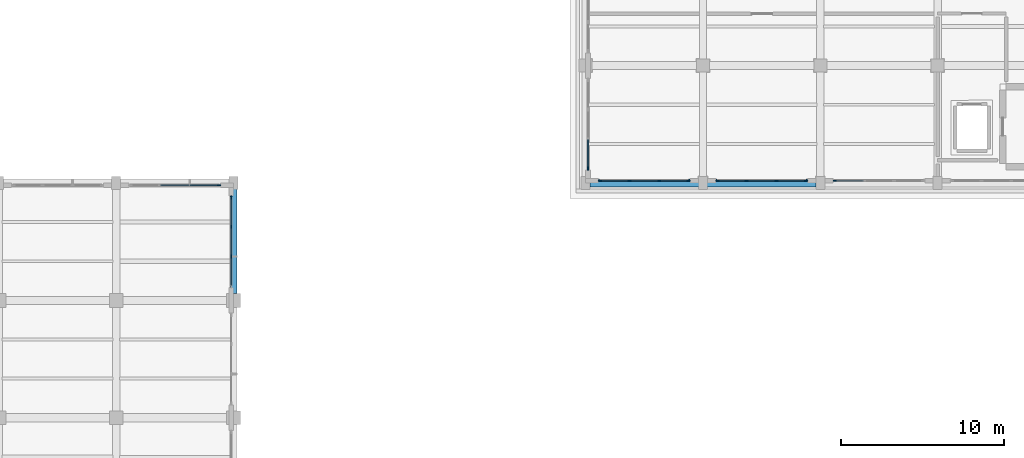
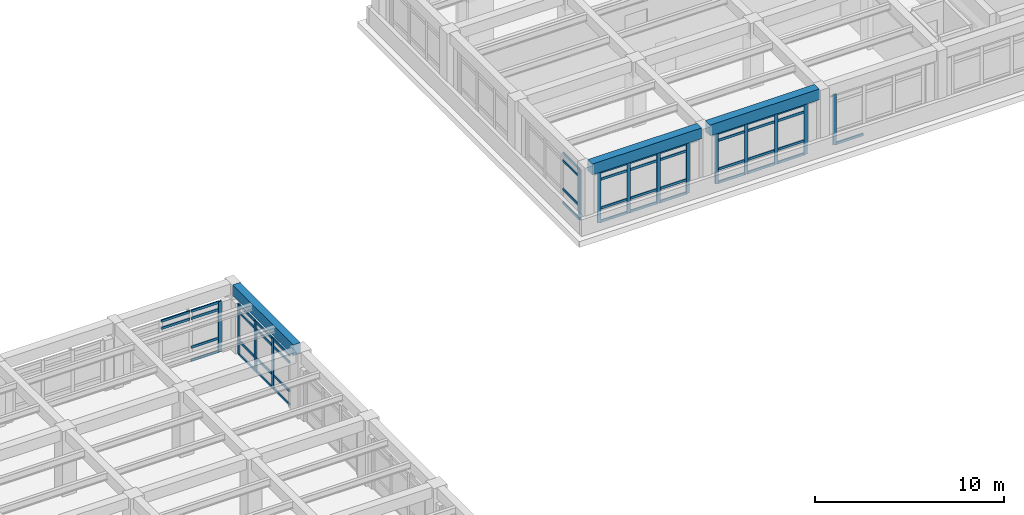
# One storey, part 50 of 98: 61 members, 3 beams, 6 elements without a shape of their own.
"""IFC4 building model written with IfcOpenShell, lengths in metres."""

from ifc_helpers import new_model, si_unit, direction, frame, origin, origin_2d, place, context, subcontext, project, spatial, rectangle, extrude, material, layer, layer_set, material_profile, profile_set, type_object, element, aggregate, save


model = new_model("IFC4")

# Units and contexts
model_context = context("Model", 3, precision=1e-05, world=origin(), true_north=direction((0.0, 1.0)))
body_context = subcontext(model_context, "Body", "Model", "MODEL_VIEW")
ifc_project = project(units=[si_unit("LENGTHUNIT", "METRE"), si_unit("AREAUNIT", "SQUARE_METRE"), si_unit("VOLUMEUNIT", "CUBIC_METRE"), si_unit("PLANEANGLEUNIT", "RADIAN"), si_unit("MASSUNIT", "GRAM", prefix="KILO")], contexts=[model_context])

# Site, building, storey
site_placement = place(None, origin())
site = spatial("IfcSite", under=ifc_project, at=site_placement, CompositionType="ELEMENT")
building_placement = place(site_placement, origin())
building = spatial("IfcBuilding", under=site, at=building_placement, Name="Solenvale Faculty of Natural Sciences", CompositionType="ELEMENT")
storey_placement = place(building_placement, frame((0.0, 0.0, 9.0)))
storey = spatial("IfcBuildingStorey", under=building, at=storey_placement, Name="L02", CompositionType="ELEMENT", Elevation=9.0)

# Beams
ifc_material_1 = material(Name="Concrete 40 MPa", Category="concrete")
ifc_material_profile_1 = material_profile(ifc_material_1, rectangle(XDim=0.449951171875, YDim=0.699951171875, at=origin_2d()), Name="RC-BM-450x700")
ifc_profile_set_1 = profile_set([ifc_material_profile_1], Name="Concrete 40 MPa")
beam_type_1 = type_object("IfcBeamType", Name="BM-RC-450x700", PredefinedType="BEAM", material=ifc_profile_set_1)
beam_placement = place(storey_placement, frame((57.60009765625, 86.804931640625, 3.8701171875), z_axis=(0.0, 1.0, 0.0), x_axis=(-1.0, 0.0, 0.0)))
element("IfcBeam", 1, at=beam_placement, inside=storey, type_object=beam_type_1, Name="L02 Y-Girder X57.6 (86.4..93.6)", PredefinedType="BEAM", context=body_context, shape_type="SweptSolid", body=[
    extrude(rectangle(XDim=0.449951171875, YDim=0.699951171875, at=origin_2d()), origin(), (0.0, 0.0, 1.0), 6.4150390625),
])
ifc_material_profile_2 = material_profile(ifc_material_1, rectangle(XDim=0.5, YDim=0.699951171875, at=origin_2d()), Name="RC-BM-500x700")
ifc_profile_set_2 = profile_set([ifc_material_profile_2], Name="Concrete 40 MPa")
beam_type_2 = type_object("IfcBeamType", Name="BM-RC-500x700", PredefinedType="BEAM", material=ifc_profile_set_2)
for number, where, z_axis, x_axis, name in (
    (2, (79.455078125, 93.60009765625, 3.8701171875), (1.0, 0.0, 0.0), (0.0, 1.0, 0.0), "L02 X-Girder Y93.6 (79.2..86.4)"),
    (3, (86.655029296875, 93.60009765625, 3.8701171875), (1.0, 0.0, 0.0), (0.0, 1.0, 0.0), "L02 X-Girder Y93.6 (86.4..93.6)"),
):
    element("IfcBeam", number, at=place(storey_placement, frame(where, z_axis=z_axis, x_axis=x_axis)), inside=storey, type_object=beam_type_2, Name=name, PredefinedType="BEAM", context=body_context, shape_type="SweptSolid", body=[
        extrude(rectangle(XDim=0.5, YDim=0.699951171875, at=origin_2d()), origin(), (0.0, 0.0, 1.0), 6.68994140625),
    ])

# Curtain wall, members
ifc_material_2 = material(Name="Anodised bronze aluminium", Category="aluminium")
ifc_layer_1 = layer(ifc_material_2, 0.215087890625)
ifc_layer_set_1 = layer_set([ifc_layer_1], Name="Anodised bronze aluminium")
curtain_wall_type_1 = type_object("IfcCurtainWallType", Name="CW-ATR-UNIT", PredefinedType="USERDEFINED", material=ifc_layer_set_1)
curtain_wall_1_placement = place(storey_placement, origin())
curtain_wall_1 = element("IfcCurtainWall", 4, at=curtain_wall_1_placement, inside=storey, type_object=curtain_wall_type_1, Name="L02 Curtain Wall CW-L02-P1-E7-B7", ObjectType="UNITISED CURTAIN WALL", PredefinedType="USERDEFINED")
ifc_material_profile_3 = material_profile(ifc_material_2, rectangle(XDim=0.074951171875, YDim=0.2099609375, at=origin_2d()), Name="ALU-MUL-75x210")
ifc_profile_set_3 = profile_set([ifc_material_profile_3], Name="Anodised bronze aluminium")
member_type_1 = type_object("IfcMemberType", Name="CWM-ALU-75x210", PredefinedType="MULLION", material=ifc_profile_set_3)
member_1_placement = place(storey_placement, frame((57.45751953125, 89.083251953125, 0.0), z_axis=(0.0, 0.0, 1.0), x_axis=(-1.0, 0.0, 0.0)))
member_1 = element("IfcMember", 5, at=member_1_placement, type_object=member_type_1, Name="CW-01 mullion 2", PredefinedType="MULLION", context=body_context, shape_type="SweptSolid", body=[
    extrude(rectangle(XDim=0.074951171875, YDim=0.2099609375, at=origin_2d()), origin(), (0.0, 0.0, 1.0), 3.260009765625),
])
member_2_placement = place(storey_placement, frame((57.45751953125, 90.916748046875, 0.0), z_axis=(0.0, 0.0, 1.0), x_axis=(-1.0, 0.0, 0.0)))
member_2 = element("IfcMember", 6, at=member_2_placement, type_object=member_type_1, Name="CW-01 mullion 3", PredefinedType="MULLION", context=body_context, shape_type="SweptSolid", body=[
    extrude(rectangle(XDim=0.074951171875, YDim=0.2099609375, at=origin_2d()), origin(), (0.0, 0.0, 1.0), 3.260009765625),
])
member_3_placement = place(storey_placement, frame((57.45751953125, 92.71240234375, 0.0), z_axis=(0.0, 0.0, 1.0), x_axis=(-1.0, 0.0, 0.0)))
member_3 = element("IfcMember", 7, at=member_3_placement, type_object=member_type_1, Name="CW-01 mullion 4", PredefinedType="MULLION", context=body_context, shape_type="SweptSolid", body=[
    extrude(rectangle(XDim=0.074951171875, YDim=0.2099609375, at=origin_2d()), origin(), (0.0, 0.0, 1.0), 3.260009765625),
])

# Curtain wall, member
curtain_wall_2_placement = place(storey_placement, origin())
curtain_wall_2 = element("IfcCurtainWall", 8, at=curtain_wall_2_placement, inside=storey, type_object=curtain_wall_type_1, Name="L02 Curtain Wall CW-L02-P1-E8-B1", ObjectType="UNITISED CURTAIN WALL", PredefinedType="USERDEFINED")
member_4_placement = place(storey_placement, frame((56.71240234375, 93.45751953125, 0.0), z_axis=(0.0, 0.0, 1.0), x_axis=(0.0, -1.0, 0.0)))
member_4 = element("IfcMember", 9, at=member_4_placement, type_object=member_type_1, Name="CW-01 mullion 1", PredefinedType="MULLION", context=body_context, shape_type="SweptSolid", body=[
    extrude(rectangle(XDim=0.074951171875, YDim=0.2099609375, at=origin_2d()), origin(), (0.0, 0.0, 1.0), 3.260009765625),
])

ifc_layer_2 = layer(ifc_material_2, 0.179931640625)
ifc_layer_set_2 = layer_set([ifc_layer_2], Name="Anodised bronze aluminium")
curtain_wall_type_2 = type_object("IfcCurtainWallType", Name="CW-TWR-MOD", PredefinedType="USERDEFINED", material=ifc_layer_set_2)
curtain_wall_3_placement = place(storey_placement, origin())
curtain_wall_3 = element("IfcCurtainWall", 10, at=curtain_wall_3_placement, inside=storey, type_object=curtain_wall_type_2, Name="L02 Curtain Wall CW-L02-P2-E5-B3", ObjectType="UNITISED CURTAIN WALL", PredefinedType="USERDEFINED")
member_5_placement = place(storey_placement, frame((79.342529296875, 94.487548828125, 0.0), z_axis=(0.0, 0.0, 1.0), x_axis=(1.0, 0.0, 0.0)))
member_5 = element("IfcMember", 11, at=member_5_placement, type_object=member_type_1, Name="CW-04 mullion 4", PredefinedType="MULLION", context=body_context, shape_type="SweptSolid", body=[
    extrude(rectangle(XDim=0.074951171875, YDim=0.2099609375, at=origin_2d()), origin(), (0.0, 0.0, 1.0), 3.260009765625),
])

# Curtain wall, members
curtain_wall_4_placement = place(storey_placement, origin())
curtain_wall_4 = element("IfcCurtainWall", 12, at=curtain_wall_4_placement, inside=storey, type_object=curtain_wall_type_2, Name="L02 Curtain Wall CW-L02-P2-E6-B1", ObjectType="UNITISED CURTAIN WALL", PredefinedType="USERDEFINED")
member_6_placement = place(storey_placement, frame((80.08740234375, 93.742431640625, 0.0), z_axis=(0.0, 0.0, 1.0), x_axis=(0.0, 1.0, 0.0)))
member_6 = element("IfcMember", 13, at=member_6_placement, type_object=member_type_1, Name="CW-04 mullion 1", PredefinedType="MULLION", context=body_context, shape_type="SweptSolid", body=[
    extrude(rectangle(XDim=0.074951171875, YDim=0.2099609375, at=origin_2d()), origin(), (0.0, 0.0, 1.0), 3.260009765625),
])
member_7_placement = place(storey_placement, frame((81.88330078125, 93.742431640625, 0.0), z_axis=(0.0, 0.0, 1.0), x_axis=(0.0, 1.0, 0.0)))
member_7 = element("IfcMember", 14, at=member_7_placement, type_object=member_type_1, Name="CW-04 mullion 2", PredefinedType="MULLION", context=body_context, shape_type="SweptSolid", body=[
    extrude(rectangle(XDim=0.074951171875, YDim=0.2099609375, at=origin_2d()), origin(), (0.0, 0.0, 1.0), 3.260009765625),
])
member_8_placement = place(storey_placement, frame((83.716552734375, 93.742431640625, 0.0), z_axis=(0.0, 0.0, 1.0), x_axis=(0.0, 1.0, 0.0)))
member_8 = element("IfcMember", 15, at=member_8_placement, type_object=member_type_1, Name="CW-04 mullion 3", PredefinedType="MULLION", context=body_context, shape_type="SweptSolid", body=[
    extrude(rectangle(XDim=0.074951171875, YDim=0.2099609375, at=origin_2d()), origin(), (0.0, 0.0, 1.0), 3.260009765625),
])
member_9_placement = place(storey_placement, frame((85.512451171875, 93.742431640625, 0.0), z_axis=(0.0, 0.0, 1.0), x_axis=(0.0, 1.0, 0.0)))
member_9 = element("IfcMember", 16, at=member_9_placement, type_object=member_type_1, Name="CW-04 mullion 4", PredefinedType="MULLION", context=body_context, shape_type="SweptSolid", body=[
    extrude(rectangle(XDim=0.074951171875, YDim=0.2099609375, at=origin_2d()), origin(), (0.0, 0.0, 1.0), 3.260009765625),
])

curtain_wall_5_placement = place(storey_placement, origin())
curtain_wall_5 = element("IfcCurtainWall", 17, at=curtain_wall_5_placement, inside=storey, type_object=curtain_wall_type_2, Name="L02 Curtain Wall CW-L02-P2-E6-B2", ObjectType="UNITISED CURTAIN WALL", PredefinedType="USERDEFINED")
member_10_placement = place(storey_placement, frame((87.28759765625, 93.742431640625, 0.0), z_axis=(0.0, 0.0, 1.0), x_axis=(0.0, 1.0, 0.0)))
member_10 = element("IfcMember", 18, at=member_10_placement, type_object=member_type_1, Name="CW-04 mullion 1", PredefinedType="MULLION", context=body_context, shape_type="SweptSolid", body=[
    extrude(rectangle(XDim=0.074951171875, YDim=0.2099609375, at=origin_2d()), origin(), (0.0, 0.0, 1.0), 3.260009765625),
])
member_11_placement = place(storey_placement, frame((89.083251953125, 93.742431640625, 0.0), z_axis=(0.0, 0.0, 1.0), x_axis=(0.0, 1.0, 0.0)))
member_11 = element("IfcMember", 19, at=member_11_placement, type_object=member_type_1, Name="CW-04 mullion 2", PredefinedType="MULLION", context=body_context, shape_type="SweptSolid", body=[
    extrude(rectangle(XDim=0.074951171875, YDim=0.2099609375, at=origin_2d()), origin(), (0.0, 0.0, 1.0), 3.260009765625),
])
member_12_placement = place(storey_placement, frame((90.916748046875, 93.742431640625, 0.0), z_axis=(0.0, 0.0, 1.0), x_axis=(0.0, 1.0, 0.0)))
member_12 = element("IfcMember", 20, at=member_12_placement, type_object=member_type_1, Name="CW-04 mullion 3", PredefinedType="MULLION", context=body_context, shape_type="SweptSolid", body=[
    extrude(rectangle(XDim=0.074951171875, YDim=0.2099609375, at=origin_2d()), origin(), (0.0, 0.0, 1.0), 3.260009765625),
])
member_13_placement = place(storey_placement, frame((92.71240234375, 93.742431640625, 0.0), z_axis=(0.0, 0.0, 1.0), x_axis=(0.0, 1.0, 0.0)))
member_13 = element("IfcMember", 21, at=member_13_placement, type_object=member_type_1, Name="CW-04 mullion 4", PredefinedType="MULLION", context=body_context, shape_type="SweptSolid", body=[
    extrude(rectangle(XDim=0.074951171875, YDim=0.2099609375, at=origin_2d()), origin(), (0.0, 0.0, 1.0), 3.260009765625),
])

# Curtain wall, member
curtain_wall_6_placement = place(storey_placement, origin())
curtain_wall_6 = element("IfcCurtainWall", 22, at=curtain_wall_6_placement, inside=storey, type_object=curtain_wall_type_2, Name="L02 Curtain Wall CW-L02-P2-E6-B3", ObjectType="UNITISED CURTAIN WALL", PredefinedType="USERDEFINED")
member_14_placement = place(storey_placement, frame((94.487548828125, 93.742431640625, 0.0), z_axis=(0.0, 0.0, 1.0), x_axis=(0.0, 1.0, 0.0)))
member_14 = element("IfcMember", 23, at=member_14_placement, type_object=member_type_1, Name="CW-04 mullion 1", PredefinedType="MULLION", context=body_context, shape_type="SweptSolid", body=[
    extrude(rectangle(XDim=0.074951171875, YDim=0.2099609375, at=origin_2d()), origin(), (0.0, 0.0, 1.0), 3.260009765625),
])

# Member
ifc_material_profile_4 = material_profile(ifc_material_2, rectangle(XDim=0.074951171875, YDim=0.155029296875, at=origin_2d()), Name="ALU-TRN-75x155")
ifc_profile_set_4 = profile_set([ifc_material_profile_4], Name="Anodised bronze aluminium")
member_type_2 = type_object("IfcMemberType", Name="CWT-ALU-75x155", PredefinedType="USERDEFINED", material=ifc_profile_set_4)
member_15_placement = place(storey_placement, frame((57.45751953125, 87.324951171875, 0.03759765625), z_axis=(0.0, 1.0, 0.0), x_axis=(-1.0, 0.0, 0.0)))
member_15 = element("IfcMember", 24, at=member_15_placement, type_object=member_type_2, Name="CW-01 transom 1.1", ObjectType="TRANSOM", PredefinedType="USERDEFINED", context=body_context, shape_type="SweptSolid", body=[
    extrude(rectangle(XDim=0.074951171875, YDim=0.155029296875, at=origin_2d()), origin(), (0.0, 0.0, 1.0), 1.720947265625),
])

member_16_placement = place(storey_placement, frame((57.45751953125, 87.324951171875, 0.89990234375), z_axis=(0.0, 1.0, 0.0), x_axis=(-1.0, 0.0, 0.0)))
member_16 = element("IfcMember", 25, at=member_16_placement, type_object=member_type_2, Name="CW-01 transom 1.2", ObjectType="TRANSOM", PredefinedType="USERDEFINED", context=body_context, shape_type="SweptSolid", body=[
    extrude(rectangle(XDim=0.074951171875, YDim=0.155029296875, at=origin_2d()), origin(), (0.0, 0.0, 1.0), 1.720947265625),
])

member_17_placement = place(storey_placement, frame((57.45751953125, 87.324951171875, 2.760009765625), z_axis=(0.0, 1.0, 0.0), x_axis=(-1.0, 0.0, 0.0)))
member_17 = element("IfcMember", 26, at=member_17_placement, type_object=member_type_2, Name="CW-01 transom 1.3", ObjectType="TRANSOM", PredefinedType="USERDEFINED", context=body_context, shape_type="SweptSolid", body=[
    extrude(rectangle(XDim=0.074951171875, YDim=0.155029296875, at=origin_2d()), origin(), (0.0, 0.0, 1.0), 1.720947265625),
])

member_18_placement = place(storey_placement, frame((57.45751953125, 87.324951171875, 3.222412109375), z_axis=(0.0, 1.0, 0.0), x_axis=(-1.0, 0.0, 0.0)))
member_18 = element("IfcMember", 27, at=member_18_placement, type_object=member_type_2, Name="CW-01 transom 1.4", ObjectType="TRANSOM", PredefinedType="USERDEFINED", context=body_context, shape_type="SweptSolid", body=[
    extrude(rectangle(XDim=0.074951171875, YDim=0.155029296875, at=origin_2d()), origin(), (0.0, 0.0, 1.0), 1.720947265625),
])

member_19_placement = place(storey_placement, frame((57.45751953125, 89.120849609375, 0.03759765625), z_axis=(0.0, 1.0, 0.0), x_axis=(-1.0, 0.0, 0.0)))
member_19 = element("IfcMember", 28, at=member_19_placement, type_object=member_type_2, Name="CW-01 transom 2.1", ObjectType="TRANSOM", PredefinedType="USERDEFINED", context=body_context, shape_type="SweptSolid", body=[
    extrude(rectangle(XDim=0.074951171875, YDim=0.155029296875, at=origin_2d()), origin(), (0.0, 0.0, 1.0), 1.75830078125),
])

member_20_placement = place(storey_placement, frame((57.45751953125, 89.120849609375, 0.89990234375), z_axis=(0.0, 1.0, 0.0), x_axis=(-1.0, 0.0, 0.0)))
member_20 = element("IfcMember", 29, at=member_20_placement, type_object=member_type_2, Name="CW-01 transom 2.2", ObjectType="TRANSOM", PredefinedType="USERDEFINED", context=body_context, shape_type="SweptSolid", body=[
    extrude(rectangle(XDim=0.074951171875, YDim=0.155029296875, at=origin_2d()), origin(), (0.0, 0.0, 1.0), 1.75830078125),
])

member_21_placement = place(storey_placement, frame((57.45751953125, 89.120849609375, 2.760009765625), z_axis=(0.0, 1.0, 0.0), x_axis=(-1.0, 0.0, 0.0)))
member_21 = element("IfcMember", 30, at=member_21_placement, type_object=member_type_2, Name="CW-01 transom 2.3", ObjectType="TRANSOM", PredefinedType="USERDEFINED", context=body_context, shape_type="SweptSolid", body=[
    extrude(rectangle(XDim=0.074951171875, YDim=0.155029296875, at=origin_2d()), origin(), (0.0, 0.0, 1.0), 1.75830078125),
])

member_22_placement = place(storey_placement, frame((57.45751953125, 89.120849609375, 3.222412109375), z_axis=(0.0, 1.0, 0.0), x_axis=(-1.0, 0.0, 0.0)))
member_22 = element("IfcMember", 31, at=member_22_placement, type_object=member_type_2, Name="CW-01 transom 2.4", ObjectType="TRANSOM", PredefinedType="USERDEFINED", context=body_context, shape_type="SweptSolid", body=[
    extrude(rectangle(XDim=0.074951171875, YDim=0.155029296875, at=origin_2d()), origin(), (0.0, 0.0, 1.0), 1.75830078125),
])

member_23_placement = place(storey_placement, frame((57.45751953125, 90.9541015625, 0.03759765625), z_axis=(0.0, 1.0, 0.0), x_axis=(-1.0, 0.0, 0.0)))
member_23 = element("IfcMember", 32, at=member_23_placement, type_object=member_type_2, Name="CW-01 transom 3.1", ObjectType="TRANSOM", PredefinedType="USERDEFINED", context=body_context, shape_type="SweptSolid", body=[
    extrude(rectangle(XDim=0.074951171875, YDim=0.155029296875, at=origin_2d()), origin(), (0.0, 0.0, 1.0), 1.720947265625),
])

member_24_placement = place(storey_placement, frame((57.45751953125, 90.9541015625, 0.89990234375), z_axis=(0.0, 1.0, 0.0), x_axis=(-1.0, 0.0, 0.0)))
member_24 = element("IfcMember", 33, at=member_24_placement, type_object=member_type_2, Name="CW-01 transom 3.2", ObjectType="TRANSOM", PredefinedType="USERDEFINED", context=body_context, shape_type="SweptSolid", body=[
    extrude(rectangle(XDim=0.074951171875, YDim=0.155029296875, at=origin_2d()), origin(), (0.0, 0.0, 1.0), 1.720947265625),
])

member_25_placement = place(storey_placement, frame((57.45751953125, 90.9541015625, 2.760009765625), z_axis=(0.0, 1.0, 0.0), x_axis=(-1.0, 0.0, 0.0)))
member_25 = element("IfcMember", 34, at=member_25_placement, type_object=member_type_2, Name="CW-01 transom 3.3", ObjectType="TRANSOM", PredefinedType="USERDEFINED", context=body_context, shape_type="SweptSolid", body=[
    extrude(rectangle(XDim=0.074951171875, YDim=0.155029296875, at=origin_2d()), origin(), (0.0, 0.0, 1.0), 1.720947265625),
])

member_26_placement = place(storey_placement, frame((57.45751953125, 90.9541015625, 3.222412109375), z_axis=(0.0, 1.0, 0.0), x_axis=(-1.0, 0.0, 0.0)))
member_26 = element("IfcMember", 35, at=member_26_placement, type_object=member_type_2, Name="CW-01 transom 3.4", ObjectType="TRANSOM", PredefinedType="USERDEFINED", context=body_context, shape_type="SweptSolid", body=[
    extrude(rectangle(XDim=0.074951171875, YDim=0.155029296875, at=origin_2d()), origin(), (0.0, 0.0, 1.0), 1.720947265625),
])

aggregate(curtain_wall_1, [member_1, member_2, member_3, member_15, member_16, member_17, member_18, member_19, member_20, member_21, member_22, member_23, member_24, member_25, member_26])

member_27_placement = place(storey_placement, frame((56.675048828125, 93.45751953125, 0.03759765625), z_axis=(-1.0, 0.0, 0.0), x_axis=(0.0, -1.0, 0.0)))
member_27 = element("IfcMember", 36, at=member_27_placement, type_object=member_type_2, Name="CW-01 transom 1.1", ObjectType="TRANSOM", PredefinedType="USERDEFINED", context=body_context, shape_type="SweptSolid", body=[
    extrude(rectangle(XDim=0.074951171875, YDim=0.155029296875, at=origin_2d()), origin(), (0.0, 0.0, 1.0), 1.720947265625),
])

member_28_placement = place(storey_placement, frame((56.675048828125, 93.45751953125, 0.89990234375), z_axis=(-1.0, 0.0, 0.0), x_axis=(0.0, -1.0, 0.0)))
member_28 = element("IfcMember", 37, at=member_28_placement, type_object=member_type_2, Name="CW-01 transom 1.2", ObjectType="TRANSOM", PredefinedType="USERDEFINED", context=body_context, shape_type="SweptSolid", body=[
    extrude(rectangle(XDim=0.074951171875, YDim=0.155029296875, at=origin_2d()), origin(), (0.0, 0.0, 1.0), 1.720947265625),
])

member_29_placement = place(storey_placement, frame((56.675048828125, 93.45751953125, 2.760009765625), z_axis=(-1.0, 0.0, 0.0), x_axis=(0.0, -1.0, 0.0)))
member_29 = element("IfcMember", 38, at=member_29_placement, type_object=member_type_2, Name="CW-01 transom 1.3", ObjectType="TRANSOM", PredefinedType="USERDEFINED", context=body_context, shape_type="SweptSolid", body=[
    extrude(rectangle(XDim=0.074951171875, YDim=0.155029296875, at=origin_2d()), origin(), (0.0, 0.0, 1.0), 1.720947265625),
])

member_30_placement = place(storey_placement, frame((56.675048828125, 93.45751953125, 3.222412109375), z_axis=(-1.0, 0.0, 0.0), x_axis=(0.0, -1.0, 0.0)))
member_30 = element("IfcMember", 39, at=member_30_placement, type_object=member_type_2, Name="CW-01 transom 1.4", ObjectType="TRANSOM", PredefinedType="USERDEFINED", context=body_context, shape_type="SweptSolid", body=[
    extrude(rectangle(XDim=0.074951171875, YDim=0.155029296875, at=origin_2d()), origin(), (0.0, 0.0, 1.0), 1.720947265625),
])

member_31_placement = place(storey_placement, frame((54.879150390625, 93.45751953125, 2.760009765625), z_axis=(-1.0, 0.0, 0.0), x_axis=(0.0, -1.0, 0.0)))
member_31 = element("IfcMember", 40, at=member_31_placement, type_object=member_type_2, Name="CW-01 transom 2.3", ObjectType="TRANSOM", PredefinedType="USERDEFINED", context=body_context, shape_type="SweptSolid", body=[
    extrude(rectangle(XDim=0.074951171875, YDim=0.155029296875, at=origin_2d()), origin(), (0.0, 0.0, 1.0), 1.75830078125),
])

member_32_placement = place(storey_placement, frame((54.879150390625, 93.45751953125, 3.222412109375), z_axis=(-1.0, 0.0, 0.0), x_axis=(0.0, -1.0, 0.0)))
member_32 = element("IfcMember", 41, at=member_32_placement, type_object=member_type_2, Name="CW-01 transom 2.4", ObjectType="TRANSOM", PredefinedType="USERDEFINED", context=body_context, shape_type="SweptSolid", body=[
    extrude(rectangle(XDim=0.074951171875, YDim=0.155029296875, at=origin_2d()), origin(), (0.0, 0.0, 1.0), 1.75830078125),
])

aggregate(curtain_wall_2, [member_4, member_27, member_28, member_29, member_30, member_31, member_32])

member_33_placement = place(storey_placement, frame((79.342529296875, 96.245849609375, 0.03759765625), z_axis=(0.0, -1.0, 0.0), x_axis=(1.0, 0.0, 0.0)))
member_33 = element("IfcMember", 42, at=member_33_placement, type_object=member_type_2, Name="CW-04 transom 3.1", ObjectType="TRANSOM", PredefinedType="USERDEFINED", context=body_context, shape_type="SweptSolid", body=[
    extrude(rectangle(XDim=0.074951171875, YDim=0.155029296875, at=origin_2d()), origin(), (0.0, 0.0, 1.0), 1.720947265625),
])

member_34_placement = place(storey_placement, frame((79.342529296875, 96.245849609375, 0.89990234375), z_axis=(0.0, -1.0, 0.0), x_axis=(1.0, 0.0, 0.0)))
member_34 = element("IfcMember", 43, at=member_34_placement, type_object=member_type_2, Name="CW-04 transom 3.2", ObjectType="TRANSOM", PredefinedType="USERDEFINED", context=body_context, shape_type="SweptSolid", body=[
    extrude(rectangle(XDim=0.074951171875, YDim=0.155029296875, at=origin_2d()), origin(), (0.0, 0.0, 1.0), 1.720947265625),
])

member_35_placement = place(storey_placement, frame((79.342529296875, 96.245849609375, 2.760009765625), z_axis=(0.0, -1.0, 0.0), x_axis=(1.0, 0.0, 0.0)))
member_35 = element("IfcMember", 44, at=member_35_placement, type_object=member_type_2, Name="CW-04 transom 3.3", ObjectType="TRANSOM", PredefinedType="USERDEFINED", context=body_context, shape_type="SweptSolid", body=[
    extrude(rectangle(XDim=0.074951171875, YDim=0.155029296875, at=origin_2d()), origin(), (0.0, 0.0, 1.0), 1.720947265625),
])

member_36_placement = place(storey_placement, frame((79.342529296875, 96.245849609375, 3.222412109375), z_axis=(0.0, -1.0, 0.0), x_axis=(1.0, 0.0, 0.0)))
member_36 = element("IfcMember", 45, at=member_36_placement, type_object=member_type_2, Name="CW-04 transom 3.4", ObjectType="TRANSOM", PredefinedType="USERDEFINED", context=body_context, shape_type="SweptSolid", body=[
    extrude(rectangle(XDim=0.074951171875, YDim=0.155029296875, at=origin_2d()), origin(), (0.0, 0.0, 1.0), 1.720947265625),
])

aggregate(curtain_wall_3, [member_5, member_33, member_34, member_35, member_36])

member_37_placement = place(storey_placement, frame((80.125, 93.742431640625, 0.03759765625), z_axis=(1.0, 0.0, 0.0), x_axis=(0.0, 1.0, 0.0)))
member_37 = element("IfcMember", 46, at=member_37_placement, type_object=member_type_2, Name="CW-04 transom 1.1", ObjectType="TRANSOM", PredefinedType="USERDEFINED", context=body_context, shape_type="SweptSolid", body=[
    extrude(rectangle(XDim=0.074951171875, YDim=0.155029296875, at=origin_2d()), origin(), (0.0, 0.0, 1.0), 1.720947265625),
])

member_38_placement = place(storey_placement, frame((80.125, 93.742431640625, 0.89990234375), z_axis=(1.0, 0.0, 0.0), x_axis=(0.0, 1.0, 0.0)))
member_38 = element("IfcMember", 47, at=member_38_placement, type_object=member_type_2, Name="CW-04 transom 1.2", ObjectType="TRANSOM", PredefinedType="USERDEFINED", context=body_context, shape_type="SweptSolid", body=[
    extrude(rectangle(XDim=0.074951171875, YDim=0.155029296875, at=origin_2d()), origin(), (0.0, 0.0, 1.0), 1.720947265625),
])

member_39_placement = place(storey_placement, frame((80.125, 93.742431640625, 2.760009765625), z_axis=(1.0, 0.0, 0.0), x_axis=(0.0, 1.0, 0.0)))
member_39 = element("IfcMember", 48, at=member_39_placement, type_object=member_type_2, Name="CW-04 transom 1.3", ObjectType="TRANSOM", PredefinedType="USERDEFINED", context=body_context, shape_type="SweptSolid", body=[
    extrude(rectangle(XDim=0.074951171875, YDim=0.155029296875, at=origin_2d()), origin(), (0.0, 0.0, 1.0), 1.720947265625),
])

member_40_placement = place(storey_placement, frame((80.125, 93.742431640625, 3.222412109375), z_axis=(1.0, 0.0, 0.0), x_axis=(0.0, 1.0, 0.0)))
member_40 = element("IfcMember", 49, at=member_40_placement, type_object=member_type_2, Name="CW-04 transom 1.4", ObjectType="TRANSOM", PredefinedType="USERDEFINED", context=body_context, shape_type="SweptSolid", body=[
    extrude(rectangle(XDim=0.074951171875, YDim=0.155029296875, at=origin_2d()), origin(), (0.0, 0.0, 1.0), 1.720947265625),
])

member_41_placement = place(storey_placement, frame((81.9208984375, 93.742431640625, 0.03759765625), z_axis=(1.0, 0.0, 0.0), x_axis=(0.0, 1.0, 0.0)))
member_41 = element("IfcMember", 50, at=member_41_placement, type_object=member_type_2, Name="CW-04 transom 2.1", ObjectType="TRANSOM", PredefinedType="USERDEFINED", context=body_context, shape_type="SweptSolid", body=[
    extrude(rectangle(XDim=0.074951171875, YDim=0.155029296875, at=origin_2d()), origin(), (0.0, 0.0, 1.0), 1.75830078125),
])

member_42_placement = place(storey_placement, frame((81.9208984375, 93.742431640625, 0.89990234375), z_axis=(1.0, 0.0, 0.0), x_axis=(0.0, 1.0, 0.0)))
member_42 = element("IfcMember", 51, at=member_42_placement, type_object=member_type_2, Name="CW-04 transom 2.2", ObjectType="TRANSOM", PredefinedType="USERDEFINED", context=body_context, shape_type="SweptSolid", body=[
    extrude(rectangle(XDim=0.074951171875, YDim=0.155029296875, at=origin_2d()), origin(), (0.0, 0.0, 1.0), 1.75830078125),
])

member_43_placement = place(storey_placement, frame((81.9208984375, 93.742431640625, 2.760009765625), z_axis=(1.0, 0.0, 0.0), x_axis=(0.0, 1.0, 0.0)))
member_43 = element("IfcMember", 52, at=member_43_placement, type_object=member_type_2, Name="CW-04 transom 2.3", ObjectType="TRANSOM", PredefinedType="USERDEFINED", context=body_context, shape_type="SweptSolid", body=[
    extrude(rectangle(XDim=0.074951171875, YDim=0.155029296875, at=origin_2d()), origin(), (0.0, 0.0, 1.0), 1.75830078125),
])

member_44_placement = place(storey_placement, frame((81.9208984375, 93.742431640625, 3.222412109375), z_axis=(1.0, 0.0, 0.0), x_axis=(0.0, 1.0, 0.0)))
member_44 = element("IfcMember", 53, at=member_44_placement, type_object=member_type_2, Name="CW-04 transom 2.4", ObjectType="TRANSOM", PredefinedType="USERDEFINED", context=body_context, shape_type="SweptSolid", body=[
    extrude(rectangle(XDim=0.074951171875, YDim=0.155029296875, at=origin_2d()), origin(), (0.0, 0.0, 1.0), 1.75830078125),
])

member_45_placement = place(storey_placement, frame((83.754150390625, 93.742431640625, 0.03759765625), z_axis=(1.0, 0.0, 0.0), x_axis=(0.0, 1.0, 0.0)))
member_45 = element("IfcMember", 54, at=member_45_placement, type_object=member_type_2, Name="CW-04 transom 3.1", ObjectType="TRANSOM", PredefinedType="USERDEFINED", context=body_context, shape_type="SweptSolid", body=[
    extrude(rectangle(XDim=0.074951171875, YDim=0.155029296875, at=origin_2d()), origin(), (0.0, 0.0, 1.0), 1.720947265625),
])

member_46_placement = place(storey_placement, frame((83.754150390625, 93.742431640625, 0.89990234375), z_axis=(1.0, 0.0, 0.0), x_axis=(0.0, 1.0, 0.0)))
member_46 = element("IfcMember", 55, at=member_46_placement, type_object=member_type_2, Name="CW-04 transom 3.2", ObjectType="TRANSOM", PredefinedType="USERDEFINED", context=body_context, shape_type="SweptSolid", body=[
    extrude(rectangle(XDim=0.074951171875, YDim=0.155029296875, at=origin_2d()), origin(), (0.0, 0.0, 1.0), 1.720947265625),
])

member_47_placement = place(storey_placement, frame((83.754150390625, 93.742431640625, 2.760009765625), z_axis=(1.0, 0.0, 0.0), x_axis=(0.0, 1.0, 0.0)))
member_47 = element("IfcMember", 56, at=member_47_placement, type_object=member_type_2, Name="CW-04 transom 3.3", ObjectType="TRANSOM", PredefinedType="USERDEFINED", context=body_context, shape_type="SweptSolid", body=[
    extrude(rectangle(XDim=0.074951171875, YDim=0.155029296875, at=origin_2d()), origin(), (0.0, 0.0, 1.0), 1.720947265625),
])

member_48_placement = place(storey_placement, frame((83.754150390625, 93.742431640625, 3.222412109375), z_axis=(1.0, 0.0, 0.0), x_axis=(0.0, 1.0, 0.0)))
member_48 = element("IfcMember", 57, at=member_48_placement, type_object=member_type_2, Name="CW-04 transom 3.4", ObjectType="TRANSOM", PredefinedType="USERDEFINED", context=body_context, shape_type="SweptSolid", body=[
    extrude(rectangle(XDim=0.074951171875, YDim=0.155029296875, at=origin_2d()), origin(), (0.0, 0.0, 1.0), 1.720947265625),
])

aggregate(curtain_wall_4, [member_6, member_7, member_8, member_9, member_37, member_38, member_39, member_40, member_41, member_42, member_43, member_44, member_45, member_46, member_47, member_48])

member_49_placement = place(storey_placement, frame((87.324951171875, 93.742431640625, 0.03759765625), z_axis=(1.0, 0.0, 0.0), x_axis=(0.0, 1.0, 0.0)))
member_49 = element("IfcMember", 58, at=member_49_placement, type_object=member_type_2, Name="CW-04 transom 1.1", ObjectType="TRANSOM", PredefinedType="USERDEFINED", context=body_context, shape_type="SweptSolid", body=[
    extrude(rectangle(XDim=0.074951171875, YDim=0.155029296875, at=origin_2d()), origin(), (0.0, 0.0, 1.0), 1.720947265625),
])

member_50_placement = place(storey_placement, frame((87.324951171875, 93.742431640625, 0.89990234375), z_axis=(1.0, 0.0, 0.0), x_axis=(0.0, 1.0, 0.0)))
member_50 = element("IfcMember", 59, at=member_50_placement, type_object=member_type_2, Name="CW-04 transom 1.2", ObjectType="TRANSOM", PredefinedType="USERDEFINED", context=body_context, shape_type="SweptSolid", body=[
    extrude(rectangle(XDim=0.074951171875, YDim=0.155029296875, at=origin_2d()), origin(), (0.0, 0.0, 1.0), 1.720947265625),
])

member_51_placement = place(storey_placement, frame((87.324951171875, 93.742431640625, 2.760009765625), z_axis=(1.0, 0.0, 0.0), x_axis=(0.0, 1.0, 0.0)))
member_51 = element("IfcMember", 60, at=member_51_placement, type_object=member_type_2, Name="CW-04 transom 1.3", ObjectType="TRANSOM", PredefinedType="USERDEFINED", context=body_context, shape_type="SweptSolid", body=[
    extrude(rectangle(XDim=0.074951171875, YDim=0.155029296875, at=origin_2d()), origin(), (0.0, 0.0, 1.0), 1.720947265625),
])

member_52_placement = place(storey_placement, frame((87.324951171875, 93.742431640625, 3.222412109375), z_axis=(1.0, 0.0, 0.0), x_axis=(0.0, 1.0, 0.0)))
member_52 = element("IfcMember", 61, at=member_52_placement, type_object=member_type_2, Name="CW-04 transom 1.4", ObjectType="TRANSOM", PredefinedType="USERDEFINED", context=body_context, shape_type="SweptSolid", body=[
    extrude(rectangle(XDim=0.074951171875, YDim=0.155029296875, at=origin_2d()), origin(), (0.0, 0.0, 1.0), 1.720947265625),
])

member_53_placement = place(storey_placement, frame((89.120849609375, 93.742431640625, 0.03759765625), z_axis=(1.0, 0.0, 0.0), x_axis=(0.0, 1.0, 0.0)))
member_53 = element("IfcMember", 62, at=member_53_placement, type_object=member_type_2, Name="CW-04 transom 2.1", ObjectType="TRANSOM", PredefinedType="USERDEFINED", context=body_context, shape_type="SweptSolid", body=[
    extrude(rectangle(XDim=0.074951171875, YDim=0.155029296875, at=origin_2d()), origin(), (0.0, 0.0, 1.0), 1.75830078125),
])

member_54_placement = place(storey_placement, frame((89.120849609375, 93.742431640625, 0.89990234375), z_axis=(1.0, 0.0, 0.0), x_axis=(0.0, 1.0, 0.0)))
member_54 = element("IfcMember", 63, at=member_54_placement, type_object=member_type_2, Name="CW-04 transom 2.2", ObjectType="TRANSOM", PredefinedType="USERDEFINED", context=body_context, shape_type="SweptSolid", body=[
    extrude(rectangle(XDim=0.074951171875, YDim=0.155029296875, at=origin_2d()), origin(), (0.0, 0.0, 1.0), 1.75830078125),
])

member_55_placement = place(storey_placement, frame((89.120849609375, 93.742431640625, 2.760009765625), z_axis=(1.0, 0.0, 0.0), x_axis=(0.0, 1.0, 0.0)))
member_55 = element("IfcMember", 64, at=member_55_placement, type_object=member_type_2, Name="CW-04 transom 2.3", ObjectType="TRANSOM", PredefinedType="USERDEFINED", context=body_context, shape_type="SweptSolid", body=[
    extrude(rectangle(XDim=0.074951171875, YDim=0.155029296875, at=origin_2d()), origin(), (0.0, 0.0, 1.0), 1.75830078125),
])

member_56_placement = place(storey_placement, frame((89.120849609375, 93.742431640625, 3.222412109375), z_axis=(1.0, 0.0, 0.0), x_axis=(0.0, 1.0, 0.0)))
member_56 = element("IfcMember", 65, at=member_56_placement, type_object=member_type_2, Name="CW-04 transom 2.4", ObjectType="TRANSOM", PredefinedType="USERDEFINED", context=body_context, shape_type="SweptSolid", body=[
    extrude(rectangle(XDim=0.074951171875, YDim=0.155029296875, at=origin_2d()), origin(), (0.0, 0.0, 1.0), 1.75830078125),
])

member_57_placement = place(storey_placement, frame((90.9541015625, 93.742431640625, 0.03759765625), z_axis=(1.0, 0.0, 0.0), x_axis=(0.0, 1.0, 0.0)))
member_57 = element("IfcMember", 66, at=member_57_placement, type_object=member_type_2, Name="CW-04 transom 3.1", ObjectType="TRANSOM", PredefinedType="USERDEFINED", context=body_context, shape_type="SweptSolid", body=[
    extrude(rectangle(XDim=0.074951171875, YDim=0.155029296875, at=origin_2d()), origin(), (0.0, 0.0, 1.0), 1.720947265625),
])

member_58_placement = place(storey_placement, frame((90.9541015625, 93.742431640625, 0.89990234375), z_axis=(1.0, 0.0, 0.0), x_axis=(0.0, 1.0, 0.0)))
member_58 = element("IfcMember", 67, at=member_58_placement, type_object=member_type_2, Name="CW-04 transom 3.2", ObjectType="TRANSOM", PredefinedType="USERDEFINED", context=body_context, shape_type="SweptSolid", body=[
    extrude(rectangle(XDim=0.074951171875, YDim=0.155029296875, at=origin_2d()), origin(), (0.0, 0.0, 1.0), 1.720947265625),
])

member_59_placement = place(storey_placement, frame((90.9541015625, 93.742431640625, 2.760009765625), z_axis=(1.0, 0.0, 0.0), x_axis=(0.0, 1.0, 0.0)))
member_59 = element("IfcMember", 68, at=member_59_placement, type_object=member_type_2, Name="CW-04 transom 3.3", ObjectType="TRANSOM", PredefinedType="USERDEFINED", context=body_context, shape_type="SweptSolid", body=[
    extrude(rectangle(XDim=0.074951171875, YDim=0.155029296875, at=origin_2d()), origin(), (0.0, 0.0, 1.0), 1.720947265625),
])

member_60_placement = place(storey_placement, frame((90.9541015625, 93.742431640625, 3.222412109375), z_axis=(1.0, 0.0, 0.0), x_axis=(0.0, 1.0, 0.0)))
member_60 = element("IfcMember", 69, at=member_60_placement, type_object=member_type_2, Name="CW-04 transom 3.4", ObjectType="TRANSOM", PredefinedType="USERDEFINED", context=body_context, shape_type="SweptSolid", body=[
    extrude(rectangle(XDim=0.074951171875, YDim=0.155029296875, at=origin_2d()), origin(), (0.0, 0.0, 1.0), 1.720947265625),
])

aggregate(curtain_wall_5, [member_10, member_11, member_12, member_13, member_49, member_50, member_51, member_52, member_53, member_54, member_55, member_56, member_57, member_58, member_59, member_60])

member_61_placement = place(storey_placement, frame((94.52490234375, 93.742431640625, 0.03759765625), z_axis=(1.0, 0.0, 0.0), x_axis=(0.0, 1.0, 0.0)))
member_61 = element("IfcMember", 70, at=member_61_placement, type_object=member_type_2, Name="CW-04 transom 1.1", ObjectType="TRANSOM", PredefinedType="USERDEFINED", context=body_context, shape_type="SweptSolid", body=[
    extrude(rectangle(XDim=0.074951171875, YDim=0.155029296875, at=origin_2d()), origin(), (0.0, 0.0, 1.0), 1.720947265625),
])

aggregate(curtain_wall_6, [member_14, member_61])

save(model, "model.ifc")
